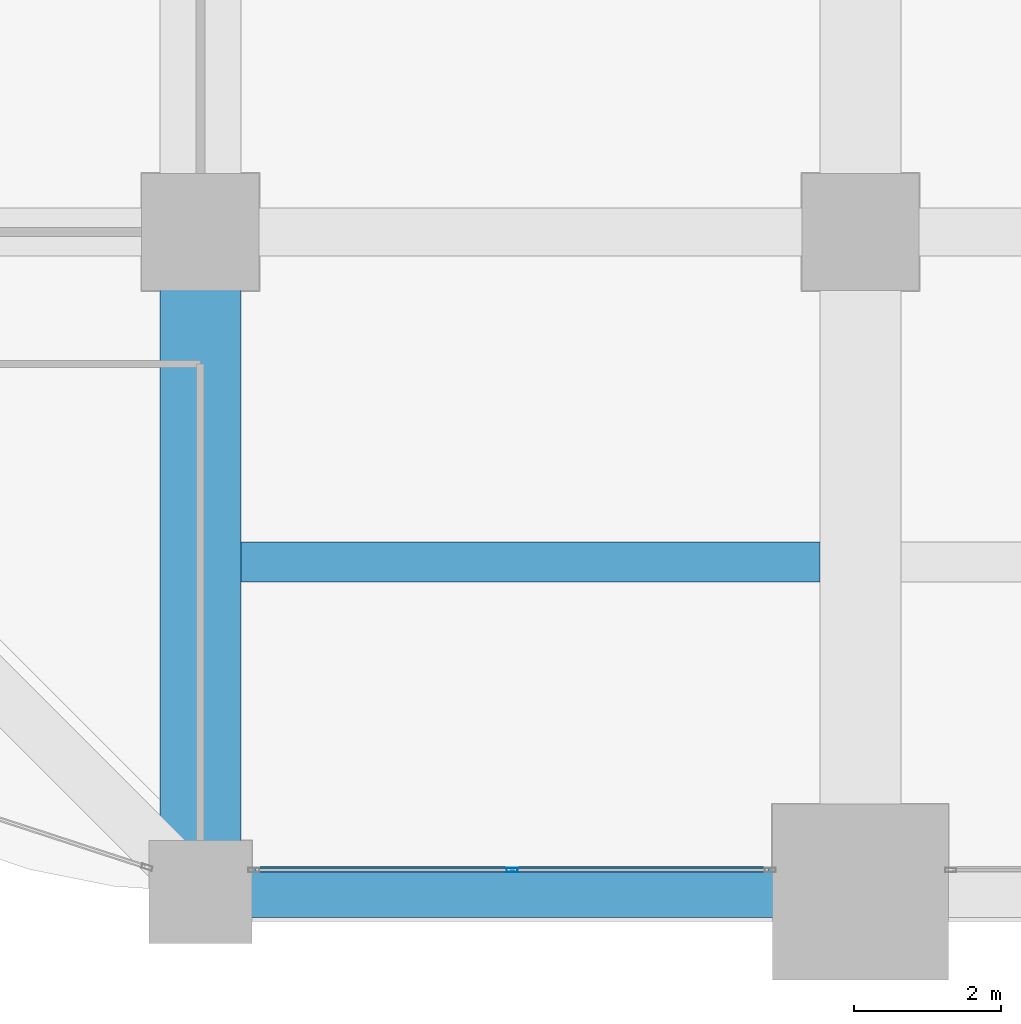
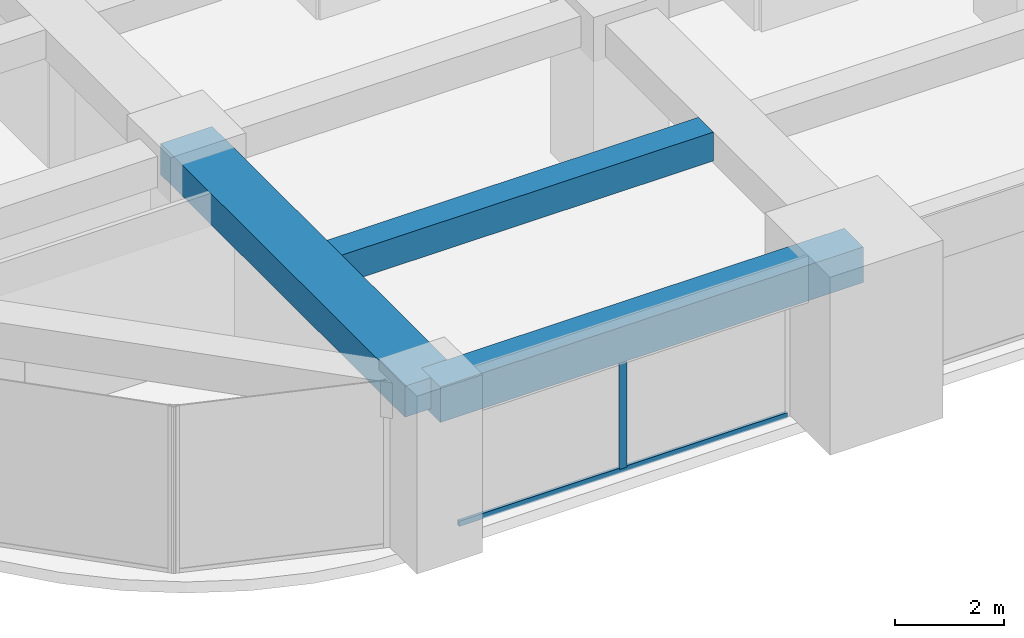
# One storey, part 3 of 32: 3 beams, 2 members, 1 element without a shape of its own.
"""IFC4 building model written with IfcOpenShell, lengths in metres."""

from ifc_helpers import new_model, si_unit, direction, frame, origin, origin_2d, place, context, subcontext, project, spatial, rectangle, hollow_rectangle, extrude, material, material_profile, profile_set, type_object, element, aggregate, save


model = new_model("IFC4")

# Units and contexts
model_context = context("Model", 3, precision=1e-05, world=origin(), true_north=direction((0.0, 1.0)))
body_context = subcontext(model_context, "Body", "Model", "MODEL_VIEW")
ifc_project = project(units=[si_unit("LENGTHUNIT", "METRE"), si_unit("AREAUNIT", "SQUARE_METRE"), si_unit("VOLUMEUNIT", "CUBIC_METRE"), si_unit("PLANEANGLEUNIT", "RADIAN"), si_unit("MASSUNIT", "GRAM", prefix="KILO")], contexts=[model_context])

# Site, building, storey
site_placement = place(None, origin())
site = spatial("IfcSite", under=ifc_project, at=site_placement, CompositionType="ELEMENT")
building_placement = place(site_placement, origin())
building = spatial("IfcBuilding", under=site, at=building_placement, Name="Zorevar Civic Tower", CompositionType="ELEMENT")
storey_placement = place(building_placement, frame((0.0, 0.0, 190.199951171875)))
storey = spatial("IfcBuildingStorey", under=building, at=storey_placement, Name="L46", CompositionType="ELEMENT", Elevation=190.199951171875)

# Beams
ifc_material_1 = material(Name="Concrete C50/60", Category="concrete")
ifc_material_profile_1 = material_profile(ifc_material_1, rectangle(XDim=1.10009765625, YDim=0.699951171875, at=origin_2d()), Name="RC 1100x700")
ifc_profile_set_1 = profile_set([ifc_material_profile_1], Name="Concrete C50/60")
beam_type_1 = type_object("IfcBeamType", Name="Beam RC 1100x700", PredefinedType="BEAM", material=ifc_profile_set_1)
beam_1_placement = place(storey_placement, frame((9.0, 0.0, 3.400146484375), z_axis=(0.0, 1.0, 0.0), x_axis=(-1.0, 0.0, 0.0)))
element("IfcBeam", 1, at=beam_1_placement, inside=storey, type_object=beam_type_1, Name="Girder L47", PredefinedType="BEAM", context=body_context, shape_type="SweptSolid", body=[
    extrude(rectangle(XDim=1.10009765625, YDim=0.699951171875, at=origin_2d()), origin(), (0.0, 0.0, 1.0), 9.0),
])
ifc_material_2 = material(Name="Concrete C50/60", Category="concrete")
ifc_material_profile_2 = material_profile(ifc_material_2, rectangle(XDim=0.550048828125, YDim=0.64990234375, at=origin_2d()), Name="RC 550x650")
ifc_profile_set_2 = profile_set([ifc_material_profile_2], Name="Concrete C50/60")
beam_type_2 = type_object("IfcBeamType", Name="Beam RC 550x650", PredefinedType="BEAM", material=ifc_profile_set_2)
beam_2_placement = place(storey_placement, frame((9.550048828125, 4.5, 3.425048828125), z_axis=(1.0, 0.0, 0.0), x_axis=(0.0, 1.0, 0.0)))
element("IfcBeam", 2, at=beam_2_placement, inside=storey, type_object=beam_type_2, Name="Secondary beam L47", PredefinedType="BEAM", context=body_context, shape_type="SweptSolid", body=[
    extrude(rectangle(XDim=0.550048828125, YDim=0.64990234375, at=origin_2d()), origin(), (0.0, 0.0, 1.0), 7.89990234375),
])

# Curtain wall, members
ifc_material_3 = material(Name="Dark grey solar-control glass in black aluminium frame", Category="aluminium")
curtain_wall_type = type_object("IfcCurtainWallType", Name="Curtain wall CW4 high zone", PredefinedType="NOTDEFINED", material=ifc_material_3)
curtain_wall_placement = place(storey_placement, origin())
curtain_wall = element("IfcCurtainWall", 3, at=curtain_wall_placement, inside=storey, type_object=curtain_wall_type, Name="CW4 L46", PredefinedType="NOTDEFINED")
ifc_material_4 = material(Name="Aluminium, black anodised", Category="aluminium")
ifc_material_profile_3 = material_profile(ifc_material_4, hollow_rectangle(XDim=0.06005859375, YDim=0.14990234375, WallThickness=0.00390625, at=origin_2d()), Name="AL 150x60x4")
ifc_profile_set_3 = profile_set([ifc_material_profile_3], Name="Aluminium, black anodised")
member_type_1 = type_object("IfcMemberType", Name="CW4 mullion AL 150x60x4", PredefinedType="MULLION", material=ifc_profile_set_3)
member_1_placement = place(storey_placement, frame((13.25, 0.300048828125, 0.06005859375), z_axis=(0.0, 0.0, 1.0), x_axis=(0.0, 1.0, 0.0)))
member_1 = element("IfcMember", 4, at=member_1_placement, type_object=member_type_1, Name="CW4 mullion 2", PredefinedType="MULLION", context=body_context, shape_type="SweptSolid", body=[
    extrude(hollow_rectangle(XDim=0.06005859375, YDim=0.14990234375, WallThickness=0.00390625, at=origin_2d()), origin(), (0.0, 0.0, 1.0), 2.889892578125),
])
ifc_material_5 = material(Name="Aluminium, black anodised", Category="aluminium")
ifc_material_profile_4 = material_profile(ifc_material_5, hollow_rectangle(XDim=0.06005859375, YDim=0.1201171875, WallThickness=0.0029296875, at=origin_2d()), Name="AL 120x60x3")
ifc_profile_set_4 = profile_set([ifc_material_profile_4], Name="Aluminium, black anodised")
member_type_2 = type_object("IfcMemberType", Name="CW4 transom AL 120x60x3", PredefinedType="USERDEFINED", material=ifc_profile_set_4)
member_2_placement = place(storey_placement, frame((9.760009765625, 0.300048828125, 0.030029296875), z_axis=(1.0, 0.0, 0.0), x_axis=(0.0, 1.0, 0.0)))
member_2 = element("IfcMember", 5, at=member_2_placement, type_object=member_type_2, Name="CW4 sill transom", ObjectType="TRANSOM", PredefinedType="USERDEFINED", context=body_context, shape_type="SweptSolid", body=[
    extrude(hollow_rectangle(XDim=0.06005859375, YDim=0.1201171875, WallThickness=0.0029296875, at=origin_2d()), origin(), (0.0, 0.0, 1.0), 6.97998046875),
])
aggregate(curtain_wall, [member_1, member_2])

# Beam
ifc_material_6 = material(Name="Concrete C50/60", Category="concrete")
ifc_material_profile_5 = material_profile(ifc_material_6, rectangle(XDim=0.699951171875, YDim=0.800048828125, at=origin_2d()), Name="RC 700x800")
ifc_profile_set_5 = profile_set([ifc_material_profile_5], Name="Concrete C50/60")
beam_type_3 = type_object("IfcBeamType", Name="Edge beam RC 700x800", PredefinedType="SPANDREL", material=ifc_profile_set_5)
beam_3_placement = place(storey_placement, frame((9.0, 0.0, 3.35009765625), z_axis=(1.0, 0.0, 0.0), x_axis=(0.0, 1.0, 0.0)))
element("IfcBeam", 6, at=beam_3_placement, inside=storey, type_object=beam_type_3, Name="Edge beam L47", PredefinedType="SPANDREL", context=body_context, shape_type="SweptSolid", body=[
    extrude(rectangle(XDim=0.699951171875, YDim=0.800048828125, at=origin_2d()), origin(), (0.0, 0.0, 1.0), 9.0),
])

save(model, "model.ifc")
